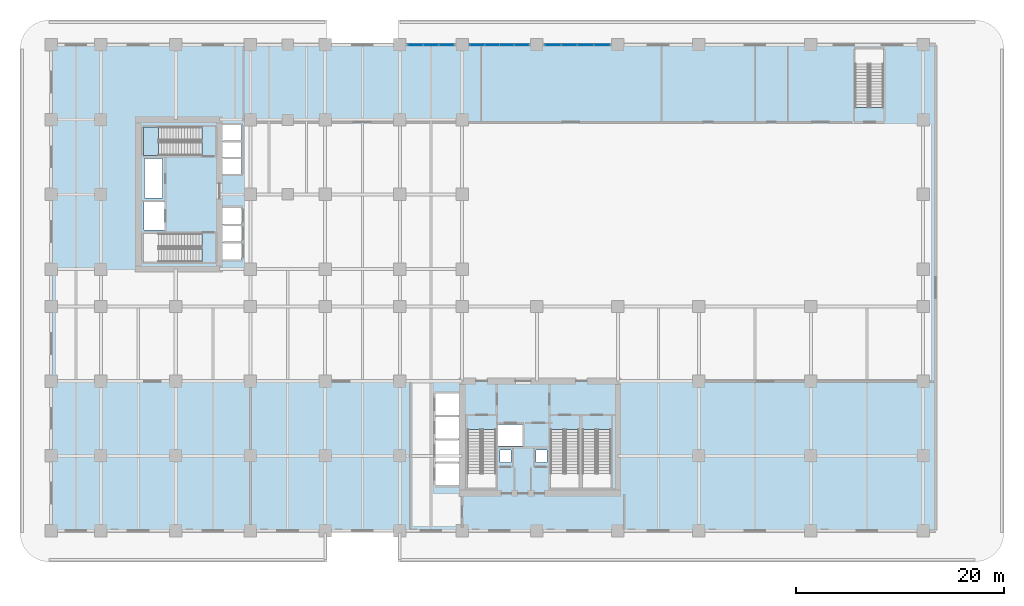
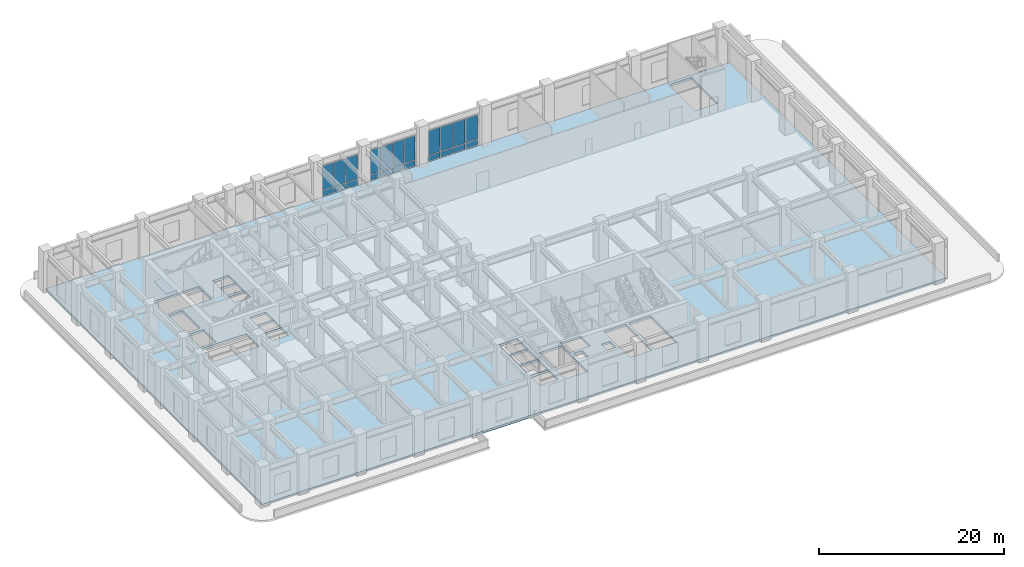
# One storey, part 7 of 20: 22 plates, 2 slabs, 4 elements without a shape of their own.
"""IFC4 building model written with IfcOpenShell, lengths in metres."""

from ifc_helpers import new_model, si_unit, derived_unit, direction, frame, origin, origin_2d, place, context, subcontext, project, spatial, polyline, rectangle, outline, extrude, source, transform, mapped, material, layer, layer_set, type_object, type_shapes, element, aggregate, save


model = new_model("IFC4")

# Units and contexts
model_context = context("Model", 3, precision=1e-05, world=origin(), true_north=direction((0.0, 1.0)))
body_context = subcontext(model_context, "Body", "Model", "MODEL_VIEW")
ifc_project = project(units=[si_unit("LENGTHUNIT", "METRE"), si_unit("AREAUNIT", "SQUARE_METRE"), si_unit("VOLUMEUNIT", "CUBIC_METRE"), si_unit("PLANEANGLEUNIT", "RADIAN"), si_unit("MASSUNIT", "GRAM", prefix="KILO"), si_unit("THERMODYNAMICTEMPERATUREUNIT", "KELVIN"), si_unit("POWERUNIT", "WATT"), derived_unit("THERMALTRANSMITTANCEUNIT", [(si_unit("POWERUNIT", "WATT"), 1), (si_unit("AREAUNIT", "SQUARE_METRE"), -1), (si_unit("THERMODYNAMICTEMPERATUREUNIT", "KELVIN"), -1)])], contexts=[model_context])

# Site, building, storey
site_placement = place(None, origin())
site = spatial("IfcSite", under=ifc_project, at=site_placement, CompositionType="ELEMENT")
building_placement = place(site_placement, origin())
building = spatial("IfcBuilding", under=site, at=building_placement, Name="Zahravan Archway Hotel and Residences", CompositionType="ELEMENT")
storey_placement = place(building_placement, frame((0.0, 0.0, 16.199951171875)))
storey = spatial("IfcBuildingStorey", under=building, at=storey_placement, Name="L03", CompositionType="ELEMENT", Elevation=16.199951171875)

# Slab
ifc_material_1 = material(Name="Concrete C50/60", Category="concrete")
ifc_layer_1 = layer(ifc_material_1, 0.300048828125, Name="Concrete C50/60", Category="concrete")
ifc_layer_set_1 = layer_set([ifc_layer_1], Name="Concrete C50/60")
slab_type_1 = type_object("IfcSlabType", Name="SLB-FLR-300", PredefinedType="FLOOR", material=ifc_layer_set_1)
slab_1_placement = place(storey_placement, frame((0.0, 0.0, -0.300048828125)))
element("IfcSlab", 1, at=slab_1_placement, inside=storey, type_object=slab_type_1, Name="L03 Floor Slab MAIN", PredefinedType="FLOOR", context=body_context, shape_type="SweptSolid", body=[
    extrude(outline(polyline([(-4.800048828125, 0.0), (80.39990234375, 0.0), (80.39990234375, 46.800048828125), (-4.800048828125, 46.800048828125), (-4.800048828125, 0.0)]), holes=[polyline([(35.300048828125, 9.72998046875), (35.300048828125, 4.10009765625), (38.0400390625, 4.10009765625), (38.0400390625, 9.72998046875), (35.300048828125, 9.72998046875)]), polyline([(43.320068359375, 9.72998046875), (43.320068359375, 4.10009765625), (46.06005859375, 4.10009765625), (46.06005859375, 9.72998046875), (43.320068359375, 9.72998046875)]), polyline([(46.39990234375, 9.72998046875), (46.39990234375, 4.10009765625), (49.139892578125, 4.10009765625), (49.139892578125, 9.72998046875), (46.39990234375, 9.72998046875)]), polyline([(9.72998046875, 28.639892578125), (4.10009765625, 28.639892578125), (4.10009765625, 25.89990234375), (9.72998046875, 25.89990234375), (9.72998046875, 28.639892578125)]), polyline([(9.72998046875, 38.89990234375), (4.10009765625, 38.89990234375), (4.10009765625, 36.159912109375), (9.72998046875, 36.159912109375), (9.72998046875, 38.89990234375)]), polyline([(75.39990234375, 40.77001953125), (75.39990234375, 46.39990234375), (72.659912109375, 46.39990234375), (72.659912109375, 40.77001953125), (75.39990234375, 40.77001953125)]), polyline([(38.179931640625, 8.14990234375), (40.699951171875, 8.14990234375), (40.699951171875, 10.25), (38.179931640625, 10.25), (38.179931640625, 8.14990234375)]), polyline([(4.14990234375, 28.949951171875), (6.10009765625, 28.949951171875), (6.10009765625, 31.64990234375), (4.14990234375, 31.64990234375), (4.14990234375, 28.949951171875)]), polyline([(11.550048828125, 26.14990234375), (13.550048828125, 26.14990234375), (13.550048828125, 27.75), (11.550048828125, 27.75), (11.550048828125, 26.14990234375)]), polyline([(11.550048828125, 27.830078125), (13.550048828125, 27.830078125), (13.550048828125, 29.429931640625), (11.550048828125, 29.429931640625), (11.550048828125, 27.830078125)]), polyline([(11.550048828125, 29.510009765625), (13.550048828125, 29.510009765625), (13.550048828125, 31.110107421875), (11.550048828125, 31.110107421875), (11.550048828125, 29.510009765625)]), polyline([(11.550048828125, 34.35009765625), (13.550048828125, 34.35009765625), (13.550048828125, 35.889892578125), (11.550048828125, 35.889892578125), (11.550048828125, 34.35009765625)]), polyline([(11.550048828125, 35.949951171875), (13.550048828125, 35.949951171875), (13.550048828125, 37.489990234375), (11.550048828125, 37.489990234375), (11.550048828125, 35.949951171875)]), polyline([(11.550048828125, 37.550048828125), (13.550048828125, 37.550048828125), (13.550048828125, 39.090087890625), (11.550048828125, 39.090087890625), (11.550048828125, 37.550048828125)]), polyline([(32.25, 4.39990234375), (34.550048828125, 4.39990234375), (34.550048828125, 6.47998046875), (32.25, 6.47998046875), (32.25, 4.39990234375)]), polyline([(32.25, 6.639892578125), (34.550048828125, 6.639892578125), (34.550048828125, 8.719970703125), (32.25, 8.719970703125), (32.25, 6.639892578125)]), polyline([(32.25, 8.8798828125), (34.550048828125, 8.8798828125), (34.550048828125, 10.9599609375), (32.25, 10.9599609375), (32.25, 8.8798828125)]), polyline([(32.25, 11.1201171875), (34.550048828125, 11.1201171875), (34.550048828125, 13.199951171875), (32.25, 13.199951171875), (32.25, 11.1201171875)]), polyline([(38.419921875, 6.56005859375), (39.5, 6.56005859375), (39.5, 7.780029296875), (38.419921875, 7.780029296875), (38.419921875, 6.56005859375)]), polyline([(41.89990234375, 6.56005859375), (42.9599609375, 6.56005859375), (42.9599609375, 7.780029296875), (41.89990234375, 7.780029296875), (41.89990234375, 6.56005859375)]), polyline([(4.179931640625, 32.050048828125), (5.93994140625, 32.050048828125), (5.93994140625, 35.840087890625), (4.179931640625, 35.840087890625), (4.179931640625, 32.050048828125)])]), origin(), (0.0, 0.0, 1.0), 0.300048828125),
])

# Stair, slab
stair_type = type_object("IfcStairType", Name="STR-CORE-1300", PredefinedType="HALF_TURN_STAIR", material=ifc_material_1)
stair_placement = place(storey_placement, origin())
stair = element("IfcStair", 2, at=stair_placement, inside=storey, type_object=stair_type, Name="L03 Core B Exit Stair 2", PredefinedType="HALF_TURN_STAIR")
ifc_layer_2 = layer(ifc_material_1, 0.199951171875, Name="Concrete C50/60", Category="concrete")
ifc_layer_set_2 = layer_set([ifc_layer_2], Name="Concrete C50/60")
slab_type_2 = type_object("IfcSlabType", Name="SLB-LND-200", PredefinedType="LANDING", material=ifc_layer_set_2)
slab_2_placement = place(storey_placement, frame((0.0, 0.0, 2.5)))
slab_2 = element("IfcSlab", 3, at=slab_2_placement, type_object=slab_type_2, Name="ST-B2 landing 1", PredefinedType="LANDING", context=body_context, shape_type="SweptSolid", body=[
    extrude(outline(polyline([(5.530029296875, 38.89990234375), (4.10009765625, 38.89990234375), (4.10009765625, 36.159912109375), (5.530029296875, 36.159912109375), (5.530029296875, 38.89990234375)])), origin(), (0.0, 0.0, 1.0), 0.199951171875),
])
aggregate(stair, [slab_2])

# Curtain wall, plates
ifc_material_2 = material(Name="Bronze-Anodized Unitised Aluminium & Low-E Glass", Category="aluminium")
ifc_layer_3 = layer(ifc_material_2, 0.179931640625, Name="Bronze-Anodized Unitised Aluminium & Low-E Glass", Category="aluminium")
ifc_layer_set_3 = layer_set([ifc_layer_3], Name="Bronze-Anodized Unitised Aluminium & Low-E Glass")
curtain_wall_type = type_object("IfcCurtainWallType", Name="CW-POD-ARCH", PredefinedType="NOTDEFINED", material=ifc_layer_set_3)
curtain_wall_1_placement = place(storey_placement, origin())
curtain_wall_1 = element("IfcCurtainWall", 4, at=curtain_wall_1_placement, inside=storey, type_object=curtain_wall_type, Name="L03 Curtain Wall CW-POD-L03-1", PredefinedType="NOTDEFINED")
ifc_material_3 = material(Name="Insulated Terracotta Spandrel Panel", Category="masonry")
ifc_layer_4 = layer(ifc_material_3, 0.0400390625, Name="Insulated Terracotta Spandrel Panel", Category="masonry")
ifc_layer_set_4 = layer_set([ifc_layer_4], Name="Insulated Terracotta Spandrel Panel")
plate_type_1 = type_object("IfcPlateType", Name="CWP-SPN-40", PredefinedType="SHEET", material=ifc_layer_set_4)
shared_shape_1 = source(origin(), body_context, "Body", "SweptSolid", [
    extrude(rectangle(XDim=1.413330078125, YDim=0.0400390625, at=origin_2d()), origin(), (0.0, 0.0, 1.0), 0.7099609375),
])
type_shapes(plate_type_1, [shared_shape_1])
plate_1_placement = place(storey_placement, frame((30.306640625, 46.800048828125, 0.10009765625), z_axis=(0.0, 0.0, 1.0), x_axis=(1.0, 0.0, 0.0)))
plate_1 = element("IfcPlate", 5, at=plate_1_placement, type_object=plate_type_1, Name="CW-POD-L03-1 Spandrel Panel 0", PredefinedType="SHEET", context=body_context, shape_type="MappedRepresentation", body=[
    mapped(shared_shape_1, transform((0.0, 0.0, 0.0), scale=1.0)),
])
plate_2_placement = place(storey_placement, frame((31.800048828125, 46.800048828125, 0.10009765625), z_axis=(0.0, 0.0, 1.0), x_axis=(1.0, 0.0, 0.0)))
plate_2 = element("IfcPlate", 6, at=plate_2_placement, type_object=plate_type_1, Name="CW-POD-L03-1 Spandrel Panel 1", PredefinedType="SHEET", context=body_context, shape_type="MappedRepresentation", body=[
    mapped(shared_shape_1, transform((0.0, 0.0, 0.0), scale=1.0)),
])
plate_3_placement = place(storey_placement, frame((33.29345703125, 46.800048828125, 0.10009765625), z_axis=(0.0, 0.0, 1.0), x_axis=(1.0, 0.0, 0.0)))
plate_3 = element("IfcPlate", 7, at=plate_3_placement, type_object=plate_type_1, Name="CW-POD-L03-1 Spandrel Panel 2", PredefinedType="SHEET", context=body_context, shape_type="MappedRepresentation", body=[
    mapped(shared_shape_1, transform((0.0, 0.0, 0.0), scale=1.0)),
])

curtain_wall_2_placement = place(storey_placement, origin())
curtain_wall_2 = element("IfcCurtainWall", 8, at=curtain_wall_2_placement, inside=storey, type_object=curtain_wall_type, Name="L03 Curtain Wall CW-POD-L03-2", PredefinedType="NOTDEFINED")
shared_shape_2 = source(origin(), body_context, "Body", "SweptSolid", [
    extrude(rectangle(XDim=1.340087890625, YDim=0.0400390625, at=origin_2d()), origin(), (0.0, 0.0, 1.0), 0.7099609375),
])
plate_4_placement = place(storey_placement, frame((36.27001953125, 46.800048828125, 0.10009765625), z_axis=(0.0, 0.0, 1.0), x_axis=(1.0, 0.0, 0.0)))
plate_4 = element("IfcPlate", 9, at=plate_4_placement, type_object=plate_type_1, Name="CW-POD-L03-2 Spandrel Panel 0", PredefinedType="SHEET", context=body_context, shape_type="MappedRepresentation", body=[
    mapped(shared_shape_2, transform((0.0, 0.0, 0.0), scale=1.0)),
])
plate_5_placement = place(storey_placement, frame((37.68994140625, 46.800048828125, 0.10009765625), z_axis=(0.0, 0.0, 1.0), x_axis=(1.0, 0.0, 0.0)))
plate_5 = element("IfcPlate", 10, at=plate_5_placement, type_object=plate_type_1, Name="CW-POD-L03-2 Spandrel Panel 1", PredefinedType="SHEET", context=body_context, shape_type="MappedRepresentation", body=[
    mapped(shared_shape_2, transform((0.0, 0.0, 0.0), scale=1.0)),
])
plate_6_placement = place(storey_placement, frame((39.110107421875, 46.800048828125, 0.10009765625), z_axis=(0.0, 0.0, 1.0), x_axis=(1.0, 0.0, 0.0)))
plate_6 = element("IfcPlate", 11, at=plate_6_placement, type_object=plate_type_1, Name="CW-POD-L03-2 Spandrel Panel 2", PredefinedType="SHEET", context=body_context, shape_type="MappedRepresentation", body=[
    mapped(shared_shape_2, transform((0.0, 0.0, 0.0), scale=1.0)),
])
plate_7_placement = place(storey_placement, frame((40.530029296875, 46.800048828125, 0.10009765625), z_axis=(0.0, 0.0, 1.0), x_axis=(1.0, 0.0, 0.0)))
plate_7 = element("IfcPlate", 12, at=plate_7_placement, type_object=plate_type_1, Name="CW-POD-L03-2 Spandrel Panel 3", PredefinedType="SHEET", context=body_context, shape_type="MappedRepresentation", body=[
    mapped(shared_shape_2, transform((0.0, 0.0, 0.0), scale=1.0)),
])

curtain_wall_3_placement = place(storey_placement, origin())
curtain_wall_3 = element("IfcCurtainWall", 13, at=curtain_wall_3_placement, inside=storey, type_object=curtain_wall_type, Name="L03 Curtain Wall CW-POD-L03-3", PredefinedType="NOTDEFINED")
shared_shape_3 = source(origin(), body_context, "Body", "SweptSolid", [
    extrude(rectangle(XDim=1.489990234375, YDim=0.0400390625, at=origin_2d()), origin(), (0.0, 0.0, 1.0), 0.7099609375),
])
plate_8_placement = place(storey_placement, frame((43.544921875, 46.800048828125, 0.10009765625), z_axis=(0.0, 0.0, 1.0), x_axis=(1.0, 0.0, 0.0)))
plate_8 = element("IfcPlate", 14, at=plate_8_placement, type_object=plate_type_1, Name="CW-POD-L03-3 Spandrel Panel 0", PredefinedType="SHEET", context=body_context, shape_type="MappedRepresentation", body=[
    mapped(shared_shape_3, transform((0.0, 0.0, 0.0), scale=1.0)),
])
plate_9_placement = place(storey_placement, frame((45.114990234375, 46.800048828125, 0.10009765625), z_axis=(0.0, 0.0, 1.0), x_axis=(1.0, 0.0, 0.0)))
plate_9 = element("IfcPlate", 15, at=plate_9_placement, type_object=plate_type_1, Name="CW-POD-L03-3 Spandrel Panel 1", PredefinedType="SHEET", context=body_context, shape_type="MappedRepresentation", body=[
    mapped(shared_shape_3, transform((0.0, 0.0, 0.0), scale=1.0)),
])
plate_10_placement = place(storey_placement, frame((46.68505859375, 46.800048828125, 0.10009765625), z_axis=(0.0, 0.0, 1.0), x_axis=(1.0, 0.0, 0.0)))
plate_10 = element("IfcPlate", 16, at=plate_10_placement, type_object=plate_type_1, Name="CW-POD-L03-3 Spandrel Panel 2", PredefinedType="SHEET", context=body_context, shape_type="MappedRepresentation", body=[
    mapped(shared_shape_3, transform((0.0, 0.0, 0.0), scale=1.0)),
])
plate_11_placement = place(storey_placement, frame((48.2548828125, 46.800048828125, 0.10009765625), z_axis=(0.0, 0.0, 1.0), x_axis=(1.0, 0.0, 0.0)))
plate_11 = element("IfcPlate", 17, at=plate_11_placement, type_object=plate_type_1, Name="CW-POD-L03-3 Spandrel Panel 3", PredefinedType="SHEET", context=body_context, shape_type="MappedRepresentation", body=[
    mapped(shared_shape_3, transform((0.0, 0.0, 0.0), scale=1.0)),
])

# Plate
ifc_material_4 = material(Name="Double-Silver Low-E Insulated Vision Glass", Category="glass")
ifc_layer_5 = layer(ifc_material_4, 0.028076171875, Name="Double-Silver Low-E Insulated Vision Glass", Category="glass")
ifc_layer_set_5 = layer_set([ifc_layer_5], Name="Double-Silver Low-E Insulated Vision Glass")
plate_type_2 = type_object("IfcPlateType", Name="CWP-GLZ-28", PredefinedType="CURTAIN_PANEL", material=ifc_layer_set_5)
shared_shape_4 = source(origin(), body_context, "Body", "SweptSolid", [
    extrude(rectangle(XDim=1.413330078125, YDim=0.028076171875, at=origin_2d()), origin(), (0.0, 0.0, 1.0), 3.195068359375),
])
plate_12_placement = place(storey_placement, frame((30.306640625, 46.800048828125, 0.89013671875), z_axis=(0.0, 0.0, 1.0), x_axis=(1.0, 0.0, 0.0)))
plate_12 = element("IfcPlate", 18, at=plate_12_placement, type_object=plate_type_2, Name="CW-POD-L03-1 Low-E Vision Panel 0", PredefinedType="CURTAIN_PANEL", context=body_context, shape_type="MappedRepresentation", body=[
    mapped(shared_shape_4, transform((0.0, 0.0, 0.0), scale=1.0)),
])

plate_13_placement = place(storey_placement, frame((31.800048828125, 46.800048828125, 0.89013671875), z_axis=(0.0, 0.0, 1.0), x_axis=(1.0, 0.0, 0.0)))
plate_13 = element("IfcPlate", 19, at=plate_13_placement, type_object=plate_type_2, Name="CW-POD-L03-1 Low-E Vision Panel 1", PredefinedType="CURTAIN_PANEL", context=body_context, shape_type="MappedRepresentation", body=[
    mapped(shared_shape_4, transform((0.0, 0.0, 0.0), scale=1.0)),
])

plate_14_placement = place(storey_placement, frame((33.29345703125, 46.800048828125, 0.89013671875), z_axis=(0.0, 0.0, 1.0), x_axis=(1.0, 0.0, 0.0)))
plate_14 = element("IfcPlate", 20, at=plate_14_placement, type_object=plate_type_2, Name="CW-POD-L03-1 Low-E Vision Panel 2", PredefinedType="CURTAIN_PANEL", context=body_context, shape_type="MappedRepresentation", body=[
    mapped(shared_shape_4, transform((0.0, 0.0, 0.0), scale=1.0)),
])

aggregate(curtain_wall_1, [plate_1, plate_12, plate_2, plate_13, plate_3, plate_14])

shared_shape_5 = source(origin(), body_context, "Body", "SweptSolid", [
    extrude(rectangle(XDim=1.340087890625, YDim=0.028076171875, at=origin_2d()), origin(), (0.0, 0.0, 1.0), 3.195068359375),
])
plate_15_placement = place(storey_placement, frame((36.27001953125, 46.800048828125, 0.89013671875), z_axis=(0.0, 0.0, 1.0), x_axis=(1.0, 0.0, 0.0)))
plate_15 = element("IfcPlate", 21, at=plate_15_placement, type_object=plate_type_2, Name="CW-POD-L03-2 Low-E Vision Panel 0", PredefinedType="CURTAIN_PANEL", context=body_context, shape_type="MappedRepresentation", body=[
    mapped(shared_shape_5, transform((0.0, 0.0, 0.0), scale=1.0)),
])

plate_16_placement = place(storey_placement, frame((37.68994140625, 46.800048828125, 0.89013671875), z_axis=(0.0, 0.0, 1.0), x_axis=(1.0, 0.0, 0.0)))
plate_16 = element("IfcPlate", 22, at=plate_16_placement, type_object=plate_type_2, Name="CW-POD-L03-2 Low-E Vision Panel 1", PredefinedType="CURTAIN_PANEL", context=body_context, shape_type="MappedRepresentation", body=[
    mapped(shared_shape_5, transform((0.0, 0.0, 0.0), scale=1.0)),
])

plate_17_placement = place(storey_placement, frame((39.110107421875, 46.800048828125, 0.89013671875), z_axis=(0.0, 0.0, 1.0), x_axis=(1.0, 0.0, 0.0)))
plate_17 = element("IfcPlate", 23, at=plate_17_placement, type_object=plate_type_2, Name="CW-POD-L03-2 Low-E Vision Panel 2", PredefinedType="CURTAIN_PANEL", context=body_context, shape_type="MappedRepresentation", body=[
    mapped(shared_shape_5, transform((0.0, 0.0, 0.0), scale=1.0)),
])

plate_18_placement = place(storey_placement, frame((40.530029296875, 46.800048828125, 0.89013671875), z_axis=(0.0, 0.0, 1.0), x_axis=(1.0, 0.0, 0.0)))
plate_18 = element("IfcPlate", 24, at=plate_18_placement, type_object=plate_type_2, Name="CW-POD-L03-2 Low-E Vision Panel 3", PredefinedType="CURTAIN_PANEL", context=body_context, shape_type="MappedRepresentation", body=[
    mapped(shared_shape_5, transform((0.0, 0.0, 0.0), scale=1.0)),
])

aggregate(curtain_wall_2, [plate_4, plate_15, plate_5, plate_16, plate_6, plate_17, plate_7, plate_18])

shared_shape_6 = source(origin(), body_context, "Body", "SweptSolid", [
    extrude(rectangle(XDim=1.489990234375, YDim=0.028076171875, at=origin_2d()), origin(), (0.0, 0.0, 1.0), 3.195068359375),
])
plate_19_placement = place(storey_placement, frame((43.544921875, 46.800048828125, 0.89013671875), z_axis=(0.0, 0.0, 1.0), x_axis=(1.0, 0.0, 0.0)))
plate_19 = element("IfcPlate", 25, at=plate_19_placement, type_object=plate_type_2, Name="CW-POD-L03-3 Low-E Vision Panel 0", PredefinedType="CURTAIN_PANEL", context=body_context, shape_type="MappedRepresentation", body=[
    mapped(shared_shape_6, transform((0.0, 0.0, 0.0), scale=1.0)),
])

plate_20_placement = place(storey_placement, frame((45.114990234375, 46.800048828125, 0.89013671875), z_axis=(0.0, 0.0, 1.0), x_axis=(1.0, 0.0, 0.0)))
plate_20 = element("IfcPlate", 26, at=plate_20_placement, type_object=plate_type_2, Name="CW-POD-L03-3 Low-E Vision Panel 1", PredefinedType="CURTAIN_PANEL", context=body_context, shape_type="MappedRepresentation", body=[
    mapped(shared_shape_6, transform((0.0, 0.0, 0.0), scale=1.0)),
])

plate_21_placement = place(storey_placement, frame((46.68505859375, 46.800048828125, 0.89013671875), z_axis=(0.0, 0.0, 1.0), x_axis=(1.0, 0.0, 0.0)))
plate_21 = element("IfcPlate", 27, at=plate_21_placement, type_object=plate_type_2, Name="CW-POD-L03-3 Low-E Vision Panel 2", PredefinedType="CURTAIN_PANEL", context=body_context, shape_type="MappedRepresentation", body=[
    mapped(shared_shape_6, transform((0.0, 0.0, 0.0), scale=1.0)),
])

plate_22_placement = place(storey_placement, frame((48.2548828125, 46.800048828125, 0.89013671875), z_axis=(0.0, 0.0, 1.0), x_axis=(1.0, 0.0, 0.0)))
plate_22 = element("IfcPlate", 28, at=plate_22_placement, type_object=plate_type_2, Name="CW-POD-L03-3 Low-E Vision Panel 3", PredefinedType="CURTAIN_PANEL", context=body_context, shape_type="MappedRepresentation", body=[
    mapped(shared_shape_6, transform((0.0, 0.0, 0.0), scale=1.0)),
])

aggregate(curtain_wall_3, [plate_8, plate_19, plate_9, plate_20, plate_10, plate_21, plate_11, plate_22])

save(model, "model.ifc")
